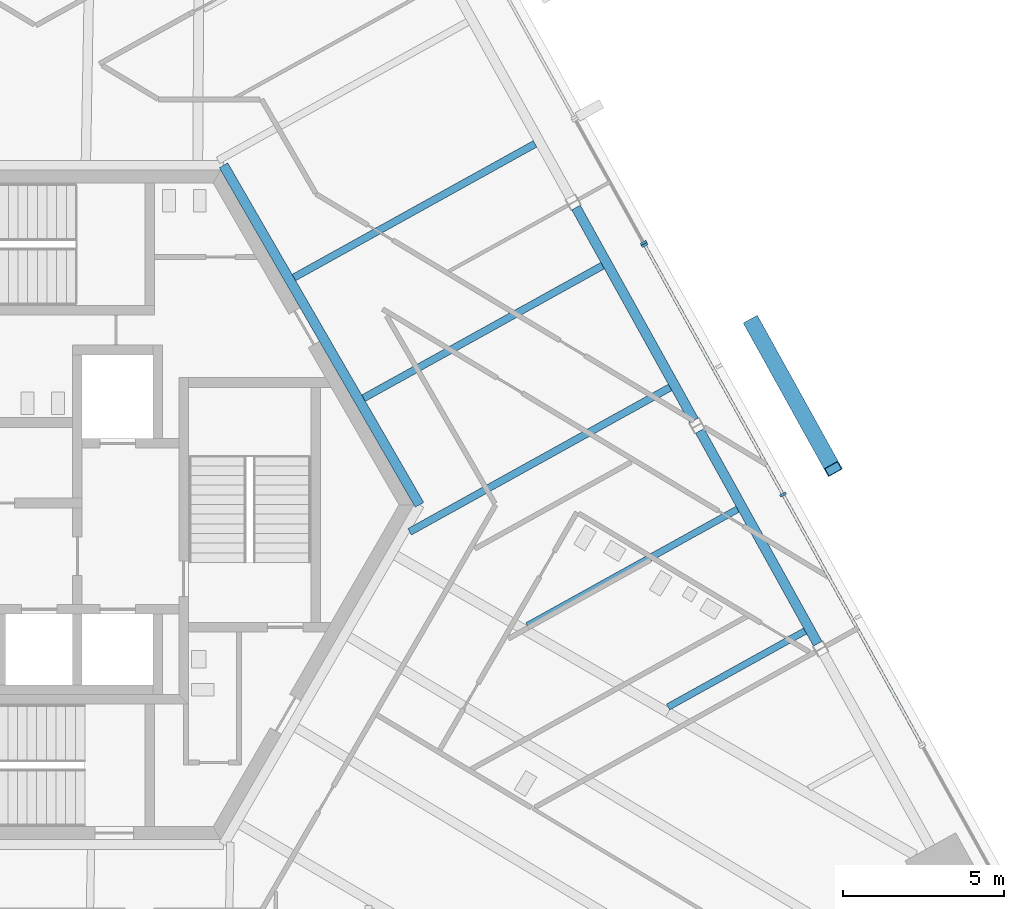
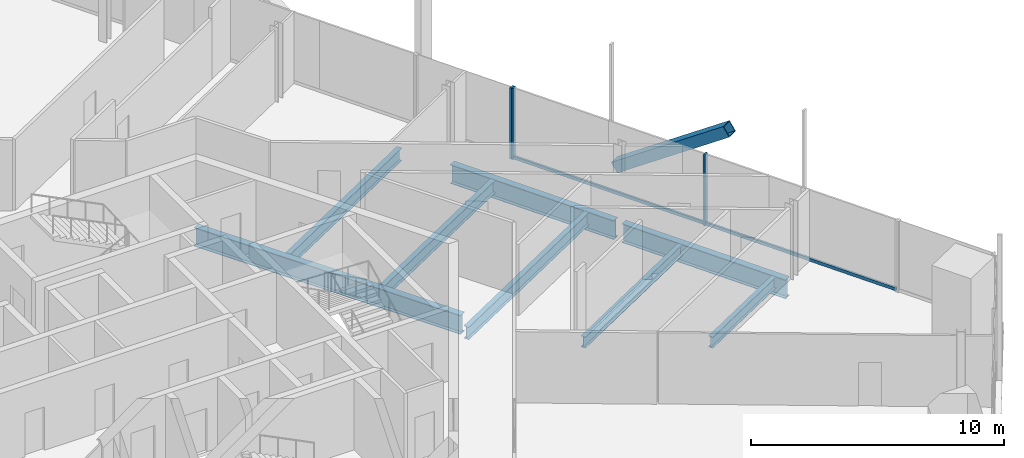
# One storey, part 7 of 21: 8 beams, 6 members, 2 elements without a shape of their own.
"""IFC4 building model written with IfcOpenShell, lengths in metres."""

from ifc_helpers import new_model, si_unit, direction, frame, origin, origin_2d, place, context, subcontext, project, spatial, rectangle, hollow_rectangle, i_section, extrude, source, transform, mapped, material, material_profile, profile_set, type_object, element, aggregate, save


model = new_model("IFC4")

# Units and contexts
model_context = context("Model", 3, precision=1e-05, world=origin(), true_north=direction((0.0, 1.0)))
body_context = subcontext(model_context, "Body", "Model", "MODEL_VIEW")
ifc_project = project(units=[si_unit("LENGTHUNIT", "METRE"), si_unit("AREAUNIT", "SQUARE_METRE"), si_unit("VOLUMEUNIT", "CUBIC_METRE"), si_unit("PLANEANGLEUNIT", "RADIAN"), si_unit("MASSUNIT", "GRAM", prefix="KILO")], contexts=[model_context])

# Site, building, storey
site_placement = place(None, origin())
site = spatial("IfcSite", under=ifc_project, at=site_placement, CompositionType="ELEMENT")
building_placement = place(site_placement, origin())
building = spatial("IfcBuilding", under=site, at=building_placement, Name="Triune Harvest Tower", CompositionType="ELEMENT")
storey_placement = place(building_placement, frame((0.0, 0.0, 201.5)))
storey = spatial("IfcBuildingStorey", under=building, at=storey_placement, Name="L52", CompositionType="ELEMENT", Elevation=201.5)

# Beams
ifc_material_1 = material(Name="Steel ASTM A992 Gr 50", Category="steel")
ifc_material_profile_1 = material_profile(ifc_material_1, i_section(OverallWidth=0.3046875, OverallDepth=0.914306640625, WebThickness=0.0166015625, FlangeThickness=0.02587890625, at=origin_2d()), Name="W36x160")
ifc_profile_set_1 = profile_set([ifc_material_profile_1], Name="Steel ASTM A992 Gr 50")
beam_type_1 = type_object("IfcBeamType", Name="CG-1 Core ring girder W36x160", PredefinedType="BEAM", material=ifc_profile_set_1)
shared_shape_1 = source(origin(), body_context, "Body", "SweptSolid", [
    extrude(i_section(OverallWidth=0.3046875, OverallDepth=0.914306640625, WebThickness=0.0166015625, FlangeThickness=0.02587890625, at=origin_2d()), origin(), (0.0, 0.0, 1.0), 12.176025390625),
])
beam_1_placement = place(storey_placement, frame((12.176025390625, 0.0, -0.6171875), z_axis=(-0.5000099932, 0.866019634131, 0.0), x_axis=(-0.866019634131, -0.5000099932, 0.0)))
element("IfcBeam", 1, at=beam_1_placement, inside=storey, type_object=beam_type_1, Name="beam/L52/CG1", PredefinedType="BEAM", context=body_context, shape_type="MappedRepresentation", body=[
    mapped(shared_shape_1, transform((0.0, 0.0, 0.0), scale=1.0)),
])
ifc_material_2 = material(Name="Steel ASTM A992 Gr 50", Category="steel")
ifc_material_profile_2 = material_profile(ifc_material_2, i_section(OverallWidth=0.3046875, OverallDepth=0.914306640625, WebThickness=0.0166015625, FlangeThickness=0.02587890625, at=origin_2d()), Name="W36x160")
ifc_profile_set_2 = profile_set([ifc_material_profile_2], Name="Steel ASTM A992 Gr 50")
beam_type_2 = type_object("IfcBeamType", Name="SB-1 Spandrel beam W36x160", PredefinedType="SPANDREL", material=ifc_profile_set_2)
shared_shape_2 = source(origin(), body_context, "Body", "SweptSolid", [
    extrude(i_section(OverallWidth=0.3046875, OverallDepth=0.914306640625, WebThickness=0.0166015625, FlangeThickness=0.02587890625, at=origin_2d()), origin(), (0.0, 0.0, 1.0), 7.556396484375),
])
for number, where, z_axis, x_axis, name in (
    (2, (24.542236328125, -4.311279296875, -0.6171875), (-0.484806011206, 0.874621707654, 0.0), (-0.874621707654, -0.484806011206, 0.0), "beam/L52/SB2"),
    (3, (20.698974609375, 2.6220703125, -0.6171875), (-0.484806011206, 0.874621707654, 0.0), (-0.874621707654, -0.484806011206, 0.0), "beam/L52/SB3"),
):
    element("IfcBeam", number, at=place(storey_placement, frame(where, z_axis=z_axis, x_axis=x_axis)), inside=storey, type_object=beam_type_2, Name=name, PredefinedType="SPANDREL", context=body_context, shape_type="MappedRepresentation", body=[
        mapped(shared_shape_2, transform((0.0, 0.0, 0.0), scale=1.0)),
    ])
ifc_material_3 = material(Name="Steel ASTM A992 Gr 50", Category="steel")
ifc_material_profile_3 = material_profile(ifc_material_3, i_section(OverallWidth=0.2099609375, OverallDepth=0.535888671875, WebThickness=0.010986328125, FlangeThickness=0.017333984375, at=origin_2d()), Name="W21x68")
ifc_profile_set_3 = profile_set([ifc_material_profile_3], Name="Steel ASTM A992 Gr 50")
beam_type_3 = type_object("IfcBeamType", Name="JT-2 Floor joist W21x68", PredefinedType="JOIST", material=ifc_profile_set_3)
shared_shape_3 = source(origin(), body_context, "Body", "SweptSolid", [
    extrude(i_section(OverallWidth=0.2099609375, OverallDepth=0.535888671875, WebThickness=0.010986328125, FlangeThickness=0.017333984375, at=origin_2d()), origin(), (0.0, 0.0, 1.0), 4.8642578125),
])
beam_2_placement = place(storey_placement, frame((24.1494140625, -3.9169921875, -0.427978515625), z_axis=(-0.874606715021, -0.484833057908, 0.0), x_axis=(0.484833057908, -0.874606715021, 0.0)))
element("IfcBeam", 4, at=beam_2_placement, inside=storey, type_object=beam_type_3, Name="beam/L52/JT2", PredefinedType="JOIST", context=body_context, shape_type="MappedRepresentation", body=[
    mapped(shared_shape_3, transform((0.0, 0.0, 0.0), scale=1.0)),
])
shared_shape_4 = source(origin(), body_context, "Body", "SweptSolid", [
    extrude(i_section(OverallWidth=0.2099609375, OverallDepth=0.535888671875, WebThickness=0.010986328125, FlangeThickness=0.017333984375, at=origin_2d()), origin(), (0.0, 0.0, 1.0), 7.46240234375),
])
beam_3_placement = place(storey_placement, frame((22.052978515625, -0.13525390625, -0.427978515625), z_axis=(-0.87461829469, -0.484812168363, 0.0), x_axis=(0.484812168363, -0.87461829469, 0.0)))
element("IfcBeam", 5, at=beam_3_placement, inside=storey, type_object=beam_type_3, Name="beam/L52/JT3", PredefinedType="JOIST", context=body_context, shape_type="MappedRepresentation", body=[
    mapped(shared_shape_4, transform((0.0, 0.0, 0.0), scale=1.0)),
])
ifc_material_4 = material(Name="Steel ASTM A992 Gr 50", Category="steel")
ifc_material_profile_4 = material_profile(ifc_material_4, i_section(OverallWidth=0.22900390625, OverallDepth=0.612060546875, WebThickness=0.011962890625, FlangeThickness=0.01953125, at=origin_2d()), Name="W24x84")
ifc_profile_set_4 = profile_set([ifc_material_profile_4], Name="Steel ASTM A992 Gr 50")
beam_type_4 = type_object("IfcBeamType", Name="JT-3 Floor joist W24x84", PredefinedType="JOIST", material=ifc_profile_set_4)
shared_shape_5 = source(origin(), body_context, "Body", "SweptSolid", [
    extrude(i_section(OverallWidth=0.22900390625, OverallDepth=0.612060546875, WebThickness=0.011962890625, FlangeThickness=0.01953125, at=origin_2d()), origin(), (0.0, 0.0, 1.0), 9.247314453125),
])
beam_4_placement = place(storey_placement, frame((19.956787109375, 3.646484375, -0.466064453125), z_axis=(-0.874621389222, -0.484806585676, 0.0), x_axis=(0.484806585676, -0.874621389222, 0.0)))
element("IfcBeam", 6, at=beam_4_placement, inside=storey, type_object=beam_type_4, Name="beam/L52/JT4", PredefinedType="JOIST", context=body_context, shape_type="MappedRepresentation", body=[
    mapped(shared_shape_5, transform((0.0, 0.0, 0.0), scale=1.0)),
])
shared_shape_6 = source(origin(), body_context, "Body", "SweptSolid", [
    extrude(i_section(OverallWidth=0.22900390625, OverallDepth=0.612060546875, WebThickness=0.011962890625, FlangeThickness=0.01953125, at=origin_2d()), origin(), (0.0, 0.0, 1.0), 8.486083984375),
])
beam_5_placement = place(storey_placement, frame((17.860595703125, 7.42822265625, -0.466064453125), z_axis=(-0.874626410095, -0.484797527598, 0.0), x_axis=(0.484797527598, -0.874626410095, 0.0)))
element("IfcBeam", 7, at=beam_5_placement, inside=storey, type_object=beam_type_4, Name="beam/L52/JT5", PredefinedType="JOIST", context=body_context, shape_type="MappedRepresentation", body=[
    mapped(shared_shape_6, transform((0.0, 0.0, 0.0), scale=1.0)),
])
shared_shape_7 = source(origin(), body_context, "Body", "SweptSolid", [
    extrude(i_section(OverallWidth=0.22900390625, OverallDepth=0.612060546875, WebThickness=0.011962890625, FlangeThickness=0.01953125, at=origin_2d()), origin(), (0.0, 0.0, 1.0), 8.561767578125),
])
beam_6_placement = place(storey_placement, frame((15.764404296875, 11.210205078125, -0.466064453125), z_axis=(-0.87461689263, -0.484814697721, 0.0), x_axis=(0.484814697721, -0.87461689263, 0.0)))
element("IfcBeam", 8, at=beam_6_placement, inside=storey, type_object=beam_type_4, Name="beam/L52/JT6", PredefinedType="JOIST", context=body_context, shape_type="MappedRepresentation", body=[
    mapped(shared_shape_7, transform((0.0, 0.0, 0.0), scale=1.0)),
])

# Member
ifc_material_5 = material(Name="Steel ASTM A572 Gr 50", Category="steel")
ifc_material_profile_5 = material_profile(ifc_material_5, hollow_rectangle(XDim=0.5, YDim=0.5, WallThickness=0.030029296875, at=origin_2d()), Name="Box 500x500x30")
ifc_profile_set_5 = profile_set([ifc_material_profile_5], Name="Steel ASTM A572 Gr 50")
member_type_1 = type_object("IfcMemberType", Name="BR-3 Brace Box 500x500x30", PredefinedType="BRACE", material=ifc_profile_set_5)
shared_shape_8 = source(origin(), body_context, "Body", "SweptSolid", [
    extrude(hollow_rectangle(XDim=0.5, YDim=0.5, WallThickness=0.030029296875, at=origin_2d()), origin(), (0.0, 0.0, 1.0), 6.302734375),
])
member_1_placement = place(storey_placement, frame((22.514892578125, 5.6416015625, 0.0), z_axis=(0.397924844663, -0.71791483218, 0.571186582245), x_axis=(0.874630991711, 0.484789261781, 0.0)))
element("IfcMember", 9, at=member_1_placement, inside=storey, type_object=member_type_1, Name="brace/B5-F1/d2/7", PredefinedType="BRACE", context=body_context, shape_type="MappedRepresentation", body=[
    mapped(shared_shape_8, transform((0.0, 0.0, 0.0), scale=1.0)),
])

# Curtain wall, members
ifc_material_6 = material(Name="Aluminium bronze anodised", Category="aluminium")
curtain_wall_type_1 = type_object("IfcCurtainWallType", Name="CW-10 Balcony window wall with insulated spandrel infill", PredefinedType="NOTDEFINED", material=ifc_material_6)
curtain_wall_1_placement = place(storey_placement, origin())
curtain_wall_1 = element("IfcCurtainWall", 10, at=curtain_wall_1_placement, inside=storey, type_object=curtain_wall_type_1, Name="CW-10 B5-F1 L52 run 1001")
ifc_material_7 = material(Name="Aluminium bronze anodised", Category="aluminium")
ifc_material_profile_6 = material_profile(ifc_material_7, rectangle(XDim=0.199951171875, YDim=0.074951171875, at=origin_2d()), Name="MU-6 mullion 75 x 200")
ifc_profile_set_6 = profile_set([ifc_material_profile_6], Name="Aluminium bronze anodised")
member_type_2 = type_object("IfcMemberType", Name="MU-6 mullion 75 x 200", PredefinedType="MULLION", material=ifc_profile_set_6)
shared_shape_9 = source(origin(), body_context, "Body", "SweptSolid", [
    extrude(rectangle(XDim=0.199951171875, YDim=0.074951171875, at=origin_2d()), origin(), (0.0, 0.0, 1.0), 3.43994140625),
])
member_2_placement = place(storey_placement, frame((23.463623046875, 0.320068359375, 0.0), z_axis=(0.0, 0.0, 1.0), x_axis=(-0.874620424879, -0.484808325408, 0.0)))
member_2 = element("IfcMember", 11, at=member_2_placement, type_object=member_type_2, Name="CW-10 mullion B5-F1 1001.3", PredefinedType="MULLION", context=body_context, shape_type="MappedRepresentation", body=[
    mapped(shared_shape_9, transform((0.0, 0.0, 0.0), scale=1.0)),
])
member_3_placement = place(storey_placement, frame((19.167724609375, 8.0703125, 0.0), z_axis=(0.0, 0.0, 1.0), x_axis=(-0.874620424879, -0.484808325408, 0.0)))
member_3 = element("IfcMember", 12, at=member_3_placement, type_object=member_type_2, Name="CW-10 mullion B5-F1 1001.5", PredefinedType="MULLION", context=body_context, shape_type="MappedRepresentation", body=[
    mapped(shared_shape_9, transform((0.0, 0.0, 0.0), scale=1.0)),
])

# Curtain wall, member
ifc_material_8 = material(Name="Aluminium bronze anodised", Category="aluminium")
curtain_wall_type_2 = type_object("IfcCurtainWallType", Name="CW-6 Balcony window wall", PredefinedType="NOTDEFINED", material=ifc_material_8)
curtain_wall_2_placement = place(storey_placement, origin())
curtain_wall_2 = element("IfcCurtainWall", 13, at=curtain_wall_2_placement, inside=storey, type_object=curtain_wall_type_2, Name="CW-6 B5-F1 L52 run 2001")
member_4_placement = place(storey_placement, frame((19.13134765625, 8.135986328125, 0.0), z_axis=(0.0, 0.0, 1.0), x_axis=(-0.874624386677, -0.484801178041, 0.0)))
member_4 = element("IfcMember", 14, at=member_4_placement, type_object=member_type_2, Name="CW-6 mullion B5-F1 2001.1", PredefinedType="MULLION", context=body_context, shape_type="MappedRepresentation", body=[
    mapped(shared_shape_9, transform((0.0, 0.0, 0.0), scale=1.0)),
])
aggregate(curtain_wall_2, [member_4])

# Member
ifc_material_9 = material(Name="Aluminium bronze anodised", Category="aluminium")
ifc_material_profile_7 = material_profile(ifc_material_9, rectangle(XDim=0.090087890625, YDim=0.14990234375, at=origin_2d()), Name="TR-6 transom 90 x 150")
ifc_profile_set_7 = profile_set([ifc_material_profile_7], Name="Aluminium bronze anodised")
member_type_3 = type_object("IfcMemberType", Name="TR-6 transom 90 x 150", PredefinedType="USERDEFINED", material=ifc_profile_set_7)
shared_shape_10 = source(origin(), body_context, "Body", "SweptSolid", [
    extrude(rectangle(XDim=0.090087890625, YDim=0.14990234375, at=origin_2d()), origin(), (0.0, 0.0, 1.0), 8.7861328125),
])
member_5_placement = place(storey_placement, frame((27.741455078125, -7.397216796875, 0.074951171875), z_axis=(-0.484800443946, 0.874624793583, 0.0), x_axis=(-0.874624793583, -0.484800443946, 0.0)))
member_5 = element("IfcMember", 15, at=member_5_placement, type_object=member_type_3, Name="CW-10 transom B5-F1 1001.1", ObjectType="TRANSOM", PredefinedType="USERDEFINED", context=body_context, shape_type="MappedRepresentation", body=[
    mapped(shared_shape_10, transform((0.0, 0.0, 0.0), scale=1.0)),
])

member_6_placement = place(storey_placement, frame((23.445556640625, 0.35302734375, 0.074951171875), z_axis=(-0.484821699726, 0.874613011266, 0.0), x_axis=(-0.874613011266, -0.484821699726, 0.0)))
member_6 = element("IfcMember", 16, at=member_6_placement, type_object=member_type_3, Name="CW-10 transom B5-F1 1001.2", ObjectType="TRANSOM", PredefinedType="USERDEFINED", context=body_context, shape_type="MappedRepresentation", body=[
    mapped(shared_shape_10, transform((0.0, 0.0, 0.0), scale=1.0)),
])

aggregate(curtain_wall_1, [member_2, member_3, member_5, member_6])

save(model, "model.ifc")
